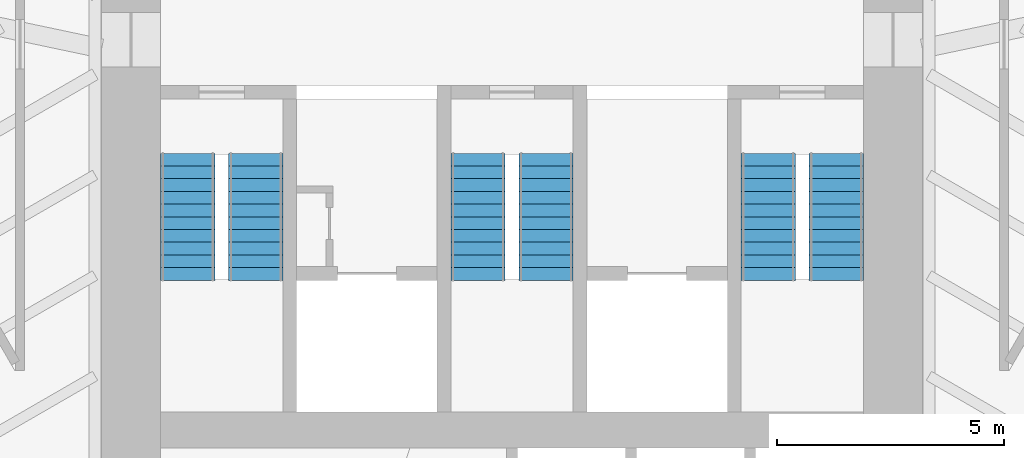
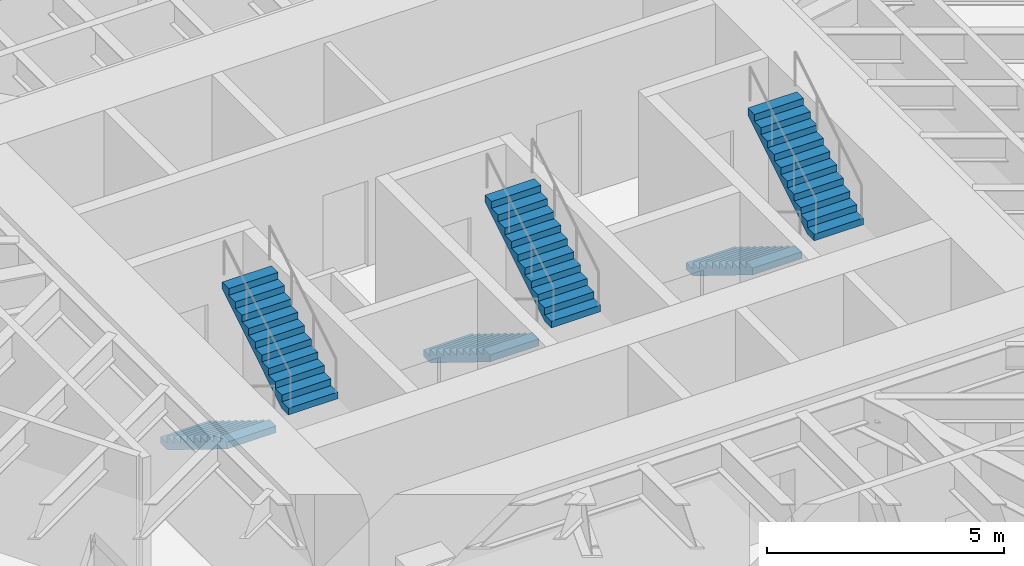
# One storey, part 17 of 18: 6 stair flights, 3 elements without a shape of their own.
"""IFC4 building model written with IfcOpenShell, lengths in metres."""

from ifc_helpers import new_model, si_unit, direction, frame, origin, place, context, subcontext, project, spatial, polyline, outline, extrude, material, type_object, element, aggregate, save


model = new_model("IFC4")

# Units and contexts
model_context = context("Model", 3, precision=1e-05, world=origin(), true_north=direction((0.0, 1.0)))
body_context = subcontext(model_context, "Body", "Model", "MODEL_VIEW")
ifc_project = project(units=[si_unit("LENGTHUNIT", "METRE"), si_unit("AREAUNIT", "SQUARE_METRE"), si_unit("VOLUMEUNIT", "CUBIC_METRE"), si_unit("PLANEANGLEUNIT", "RADIAN"), si_unit("MASSUNIT", "GRAM", prefix="KILO")], contexts=[model_context])

# Site, building, storey
site_placement = place(None, origin())
site = spatial("IfcSite", under=ifc_project, at=site_placement, CompositionType="ELEMENT")
building_placement = place(site_placement, origin())
building = spatial("IfcBuilding", under=site, at=building_placement, Name="Sandreach Pilgrim Tower", CompositionType="ELEMENT")
storey_placement = place(building_placement, frame((0.0, 0.0, 157.60009765625)))
storey = spatial("IfcBuildingStorey", under=building, at=storey_placement, Name="L39", CompositionType="ELEMENT", Elevation=157.60009765625)

# Stair, stair flights
ifc_material_1 = material(Name="Concrete 8000 psi", Category="concrete")
stair_type = type_object("IfcStairType", Name="Core exit stair", PredefinedType="HALF_TURN_STAIR", material=ifc_material_1)
stair_1_placement = place(storey_placement, origin())
stair_1 = element("IfcStair", 1, at=stair_1_placement, inside=storey, type_object=stair_type, Name="Exit stair ST1 L39", PredefinedType="HALF_TURN_STAIR")
ifc_material_2 = material(Name="Concrete 8000 psi", Category="concrete")
stair_flight_type = type_object("IfcStairFlightType", Name="Core stair flight 1200", PredefinedType="STRAIGHT", material=ifc_material_2)
stair_flight_1_placement = place(storey_placement, frame((-7.14990234375, -0.39990234375, 0.0), z_axis=(0.0, 0.0, 1.0), x_axis=(0.0, -1.0, 0.0)))
stair_flight_1 = element("IfcStairFlight", 2, at=stair_flight_1_placement, type_object=stair_flight_type, Name="ST1 flight 1", NumberOfRisers=11, NumberOfTreads=10, PredefinedType="STRAIGHT", RiserHeight=0.172727273, TreadLength=0.28, context=body_context, shape_type="SweptSolid", body=[
    extrude(outline(polyline([(0.0, 0.0), (0.0, 0.172607421875), (0.280029296875, 0.172607421875), (0.280029296875, 0.345458984375), (0.56005859375, 0.345458984375), (0.56005859375, 0.51806640625), (0.840087890625, 0.51806640625), (0.840087890625, 0.69091796875), (1.1201171875, 0.69091796875), (1.1201171875, 0.863525390625), (1.39990234375, 0.863525390625), (1.39990234375, 1.036376953125), (1.679931640625, 1.036376953125), (1.679931640625, 1.208984375), (1.9599609375, 1.208984375), (1.9599609375, 1.3818359375), (2.239990234375, 1.3818359375), (2.239990234375, 1.554443359375), (2.52001953125, 1.554443359375), (2.52001953125, 1.727294921875), (2.800048828125, 1.727294921875), (2.800048828125, 1.89990234375), (2.800048828125, 1.551025390625), (0.285400390625, 0.0), (0.0, 0.0)])), frame((0.0, 0.60009765625, 0.0), z_axis=(0.0, -1.0, 0.0), x_axis=(1.0, 0.0, 0.0)), (0.0, 0.0, 1.0), 1.199951171875),
])
stair_flight_2_placement = place(storey_placement, frame((-5.64990234375, -3.199951171875, 1.89990234375), z_axis=(0.0, 0.0, 1.0), x_axis=(0.0, 1.0, 0.0)))
stair_flight_2 = element("IfcStairFlight", 3, at=stair_flight_2_placement, type_object=stair_flight_type, Name="ST1 flight 2", NumberOfRisers=11, NumberOfTreads=10, PredefinedType="STRAIGHT", RiserHeight=0.172727273, TreadLength=0.28, context=body_context, shape_type="SweptSolid", body=[
    extrude(outline(polyline([(0.0, 0.0), (0.0, 0.172607421875), (0.280029296875, 0.172607421875), (0.280029296875, 0.345458984375), (0.56005859375, 0.345458984375), (0.56005859375, 0.51806640625), (0.840087890625, 0.51806640625), (0.840087890625, 0.69091796875), (1.1201171875, 0.69091796875), (1.1201171875, 0.863525390625), (1.39990234375, 0.863525390625), (1.39990234375, 1.036376953125), (1.679931640625, 1.036376953125), (1.679931640625, 1.208984375), (1.9599609375, 1.208984375), (1.9599609375, 1.3818359375), (2.239990234375, 1.3818359375), (2.239990234375, 1.554443359375), (2.52001953125, 1.554443359375), (2.52001953125, 1.727294921875), (2.800048828125, 1.727294921875), (2.800048828125, 1.89990234375), (2.800048828125, 1.551025390625), (0.285400390625, 0.0), (0.0, 0.0)])), frame((0.0, 0.60009765625, 0.0), z_axis=(0.0, -1.0, 0.0), x_axis=(1.0, 0.0, 0.0)), (0.0, 0.0, 1.0), 1.199951171875),
])
aggregate(stair_1, [stair_flight_1, stair_flight_2])

stair_2_placement = place(storey_placement, origin())
stair_2 = element("IfcStair", 4, at=stair_2_placement, inside=storey, type_object=stair_type, Name="Exit stair ST3 L39", PredefinedType="HALF_TURN_STAIR")
stair_flight_3_placement = place(storey_placement, frame((-0.75, -0.39990234375, 0.0), z_axis=(0.0, 0.0, 1.0), x_axis=(0.0, -1.0, 0.0)))
stair_flight_3 = element("IfcStairFlight", 5, at=stair_flight_3_placement, type_object=stair_flight_type, Name="ST3 flight 1", NumberOfRisers=11, NumberOfTreads=10, PredefinedType="STRAIGHT", RiserHeight=0.172727273, TreadLength=0.28, context=body_context, shape_type="SweptSolid", body=[
    extrude(outline(polyline([(0.0, 0.0), (0.0, 0.172607421875), (0.280029296875, 0.172607421875), (0.280029296875, 0.345458984375), (0.56005859375, 0.345458984375), (0.56005859375, 0.51806640625), (0.840087890625, 0.51806640625), (0.840087890625, 0.69091796875), (1.1201171875, 0.69091796875), (1.1201171875, 0.863525390625), (1.39990234375, 0.863525390625), (1.39990234375, 1.036376953125), (1.679931640625, 1.036376953125), (1.679931640625, 1.208984375), (1.9599609375, 1.208984375), (1.9599609375, 1.3818359375), (2.239990234375, 1.3818359375), (2.239990234375, 1.554443359375), (2.52001953125, 1.554443359375), (2.52001953125, 1.727294921875), (2.800048828125, 1.727294921875), (2.800048828125, 1.89990234375), (2.800048828125, 1.551025390625), (0.285400390625, 0.0), (0.0, 0.0)])), frame((0.0, 0.60009765625, 0.0), z_axis=(0.0, -1.0, 0.0), x_axis=(1.0, 0.0, 0.0)), (0.0, 0.0, 1.0), 1.199951171875),
])
stair_flight_4_placement = place(storey_placement, frame((0.75, -3.199951171875, 1.89990234375), z_axis=(0.0, 0.0, 1.0), x_axis=(0.0, 1.0, 0.0)))
stair_flight_4 = element("IfcStairFlight", 6, at=stair_flight_4_placement, type_object=stair_flight_type, Name="ST3 flight 2", NumberOfRisers=11, NumberOfTreads=10, PredefinedType="STRAIGHT", RiserHeight=0.172727273, TreadLength=0.28, context=body_context, shape_type="SweptSolid", body=[
    extrude(outline(polyline([(0.0, 0.0), (0.0, 0.172607421875), (0.280029296875, 0.172607421875), (0.280029296875, 0.345458984375), (0.56005859375, 0.345458984375), (0.56005859375, 0.51806640625), (0.840087890625, 0.51806640625), (0.840087890625, 0.69091796875), (1.1201171875, 0.69091796875), (1.1201171875, 0.863525390625), (1.39990234375, 0.863525390625), (1.39990234375, 1.036376953125), (1.679931640625, 1.036376953125), (1.679931640625, 1.208984375), (1.9599609375, 1.208984375), (1.9599609375, 1.3818359375), (2.239990234375, 1.3818359375), (2.239990234375, 1.554443359375), (2.52001953125, 1.554443359375), (2.52001953125, 1.727294921875), (2.800048828125, 1.727294921875), (2.800048828125, 1.89990234375), (2.800048828125, 1.551025390625), (0.285400390625, 0.0), (0.0, 0.0)])), frame((0.0, 0.60009765625, 0.0), z_axis=(0.0, -1.0, 0.0), x_axis=(1.0, 0.0, 0.0)), (0.0, 0.0, 1.0), 1.199951171875),
])
aggregate(stair_2, [stair_flight_3, stair_flight_4])

stair_3_placement = place(storey_placement, origin())
stair_3 = element("IfcStair", 7, at=stair_3_placement, inside=storey, type_object=stair_type, Name="Exit stair ST2 L39", PredefinedType="HALF_TURN_STAIR")
stair_flight_5_placement = place(storey_placement, frame((5.64990234375, -0.39990234375, 0.0), z_axis=(0.0, 0.0, 1.0), x_axis=(0.0, -1.0, 0.0)))
stair_flight_5 = element("IfcStairFlight", 8, at=stair_flight_5_placement, type_object=stair_flight_type, Name="ST2 flight 1", NumberOfRisers=11, NumberOfTreads=10, PredefinedType="STRAIGHT", RiserHeight=0.172727273, TreadLength=0.28, context=body_context, shape_type="SweptSolid", body=[
    extrude(outline(polyline([(0.0, 0.0), (0.0, 0.172607421875), (0.280029296875, 0.172607421875), (0.280029296875, 0.345458984375), (0.56005859375, 0.345458984375), (0.56005859375, 0.51806640625), (0.840087890625, 0.51806640625), (0.840087890625, 0.69091796875), (1.1201171875, 0.69091796875), (1.1201171875, 0.863525390625), (1.39990234375, 0.863525390625), (1.39990234375, 1.036376953125), (1.679931640625, 1.036376953125), (1.679931640625, 1.208984375), (1.9599609375, 1.208984375), (1.9599609375, 1.3818359375), (2.239990234375, 1.3818359375), (2.239990234375, 1.554443359375), (2.52001953125, 1.554443359375), (2.52001953125, 1.727294921875), (2.800048828125, 1.727294921875), (2.800048828125, 1.89990234375), (2.800048828125, 1.551025390625), (0.285400390625, 0.0), (0.0, 0.0)])), frame((0.0, 0.60009765625, 0.0), z_axis=(0.0, -1.0, 0.0), x_axis=(1.0, 0.0, 0.0)), (0.0, 0.0, 1.0), 1.199951171875),
])
stair_flight_6_placement = place(storey_placement, frame((7.14990234375, -3.199951171875, 1.89990234375), z_axis=(0.0, 0.0, 1.0), x_axis=(0.0, 1.0, 0.0)))
stair_flight_6 = element("IfcStairFlight", 9, at=stair_flight_6_placement, type_object=stair_flight_type, Name="ST2 flight 2", NumberOfRisers=11, NumberOfTreads=10, PredefinedType="STRAIGHT", RiserHeight=0.172727273, TreadLength=0.28, context=body_context, shape_type="SweptSolid", body=[
    extrude(outline(polyline([(0.0, 0.0), (0.0, 0.172607421875), (0.280029296875, 0.172607421875), (0.280029296875, 0.345458984375), (0.56005859375, 0.345458984375), (0.56005859375, 0.51806640625), (0.840087890625, 0.51806640625), (0.840087890625, 0.69091796875), (1.1201171875, 0.69091796875), (1.1201171875, 0.863525390625), (1.39990234375, 0.863525390625), (1.39990234375, 1.036376953125), (1.679931640625, 1.036376953125), (1.679931640625, 1.208984375), (1.9599609375, 1.208984375), (1.9599609375, 1.3818359375), (2.239990234375, 1.3818359375), (2.239990234375, 1.554443359375), (2.52001953125, 1.554443359375), (2.52001953125, 1.727294921875), (2.800048828125, 1.727294921875), (2.800048828125, 1.89990234375), (2.800048828125, 1.551025390625), (0.285400390625, 0.0), (0.0, 0.0)])), frame((0.0, 0.60009765625, 0.0), z_axis=(0.0, -1.0, 0.0), x_axis=(1.0, 0.0, 0.0)), (0.0, 0.0, 1.0), 1.199951171875),
])
aggregate(stair_3, [stair_flight_5, stair_flight_6])

save(model, "model.ifc")
